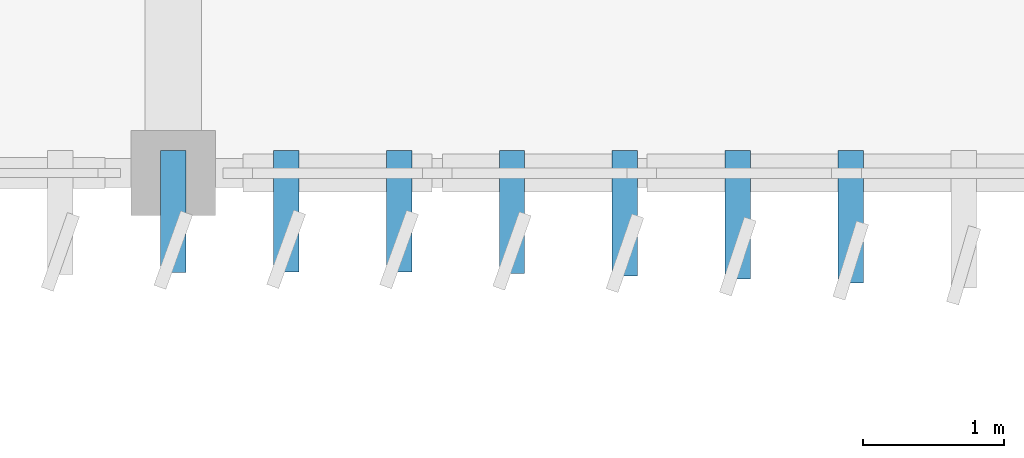
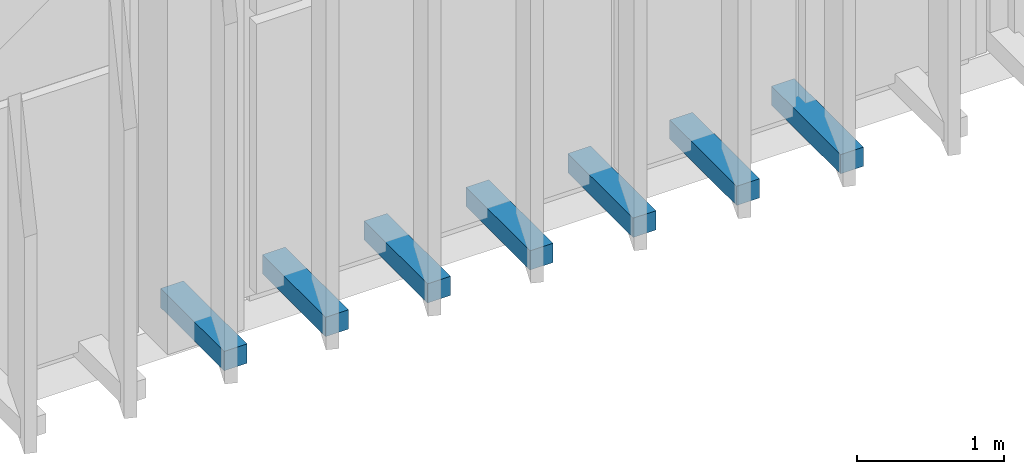
# One storey, part 51 of 64: 7 discrete accessories.
"""IFC4 building model written with IfcOpenShell, lengths in metres."""

from ifc_helpers import new_model, si_unit, direction, frame, origin, origin_2d, place, context, subcontext, project, spatial, rectangle, extrude, material, type_object, element, save


model = new_model("IFC4")

# Units and contexts
model_context = context("Model", 3, precision=1e-05, world=origin(), true_north=direction((0.0, 1.0)))
body_context = subcontext(model_context, "Body", "Model", "MODEL_VIEW")
ifc_project = project(units=[si_unit("LENGTHUNIT", "METRE"), si_unit("AREAUNIT", "SQUARE_METRE"), si_unit("VOLUMEUNIT", "CUBIC_METRE"), si_unit("PLANEANGLEUNIT", "RADIAN"), si_unit("MASSUNIT", "GRAM", prefix="KILO")], contexts=[model_context])

# Site, building, storey
site_placement = place(None, origin())
site = spatial("IfcSite", under=ifc_project, at=site_placement, CompositionType="ELEMENT")
building_placement = place(site_placement, origin())
building = spatial("IfcBuilding", under=site, at=building_placement, Name="Cinchona Park Media Centre", CompositionType="ELEMENT")
storey_placement = place(building_placement, frame((0.0, 0.0, 10.199951171875)))
storey = spatial("IfcBuildingStorey", under=building, at=storey_placement, Name="L02", CompositionType="ELEMENT", Elevation=10.199951171875)

# Discrete accessories
ifc_material = material(Name="Steel S355", Category="steel")
discrete_accessory_type = type_object("IfcDiscreteAccessoryType", Name="BRACKET-BRK01", PredefinedType="BRACKET", material=ifc_material)
discrete_accessory_1_placement = place(storey_placement, frame((126.800048828125, 74.527099609375, 0.0400390625), z_axis=(0.0, 0.0, 1.0), x_axis=(1.0, 0.0, 0.0)))
element("IfcDiscreteAccessory", 1, at=discrete_accessory_1_placement, inside=storey, type_object=discrete_accessory_type, Name="Facade Fin Outrigger Bracket L02", PredefinedType="BRACKET", context=body_context, shape_type="SweptSolid", body=[
    extrude(rectangle(XDim=0.179931640625, YDim=0.865966796875, at=origin_2d()), origin(), (0.0, 0.0, 1.0), 0.159912109375),
])
discrete_accessory_2_placement = place(storey_placement, frame((127.60009765625, 74.530029296875, 0.0400390625), z_axis=(0.0, 0.0, 1.0), x_axis=(1.0, 0.0, 0.0)))
element("IfcDiscreteAccessory", 2, at=discrete_accessory_2_placement, inside=storey, type_object=discrete_accessory_type, Name="Facade Fin Outrigger Bracket L02", PredefinedType="BRACKET", context=body_context, shape_type="SweptSolid", body=[
    extrude(rectangle(XDim=0.179931640625, YDim=0.860107421875, at=origin_2d()), origin(), (0.0, 0.0, 1.0), 0.159912109375),
])
discrete_accessory_3_placement = place(storey_placement, frame((128.39990234375, 74.529052734375, 0.0400390625), z_axis=(0.0, 0.0, 1.0), x_axis=(1.0, 0.0, 0.0)))
element("IfcDiscreteAccessory", 3, at=discrete_accessory_3_placement, inside=storey, type_object=discrete_accessory_type, Name="Facade Fin Outrigger Bracket L02", PredefinedType="BRACKET", context=body_context, shape_type="SweptSolid", body=[
    extrude(rectangle(XDim=0.179931640625, YDim=0.862060546875, at=origin_2d()), origin(), (0.0, 0.0, 1.0), 0.159912109375),
])
discrete_accessory_4_placement = place(storey_placement, frame((129.199951171875, 74.52392578125, 0.0400390625), z_axis=(0.0, 0.0, 1.0), x_axis=(1.0, 0.0, 0.0)))
element("IfcDiscreteAccessory", 4, at=discrete_accessory_4_placement, inside=storey, type_object=discrete_accessory_type, Name="Facade Fin Outrigger Bracket L02", PredefinedType="BRACKET", context=body_context, shape_type="SweptSolid", body=[
    extrude(rectangle(XDim=0.179931640625, YDim=0.8720703125, at=origin_2d()), origin(), (0.0, 0.0, 1.0), 0.159912109375),
])
discrete_accessory_5_placement = place(storey_placement, frame((130.0, 74.51611328125, 0.0400390625), z_axis=(0.0, 0.0, 1.0), x_axis=(1.0, 0.0, 0.0)))
element("IfcDiscreteAccessory", 5, at=discrete_accessory_5_placement, inside=storey, type_object=discrete_accessory_type, Name="Facade Fin Outrigger Bracket L02", PredefinedType="BRACKET", context=body_context, shape_type="SweptSolid", body=[
    extrude(rectangle(XDim=0.179931640625, YDim=0.887939453125, at=origin_2d()), origin(), (0.0, 0.0, 1.0), 0.159912109375),
])
discrete_accessory_6_placement = place(storey_placement, frame((130.800048828125, 74.50390625, 0.0400390625), z_axis=(0.0, 0.0, 1.0), x_axis=(1.0, 0.0, 0.0)))
element("IfcDiscreteAccessory", 6, at=discrete_accessory_6_placement, inside=storey, type_object=discrete_accessory_type, Name="Facade Fin Outrigger Bracket L02", PredefinedType="BRACKET", context=body_context, shape_type="SweptSolid", body=[
    extrude(rectangle(XDim=0.179931640625, YDim=0.910888671875, at=origin_2d()), origin(), (0.0, 0.0, 1.0), 0.159912109375),
])
discrete_accessory_7_placement = place(storey_placement, frame((131.60009765625, 74.489990234375, 0.0400390625), z_axis=(0.0, 0.0, 1.0), x_axis=(1.0, 0.0, 0.0)))
element("IfcDiscreteAccessory", 7, at=discrete_accessory_7_placement, inside=storey, type_object=discrete_accessory_type, Name="Facade Fin Outrigger Bracket L02", PredefinedType="BRACKET", context=body_context, shape_type="SweptSolid", body=[
    extrude(rectangle(XDim=0.179931640625, YDim=0.93994140625, at=origin_2d()), origin(), (0.0, 0.0, 1.0), 0.159912109375),
])

save(model, "model.ifc")
